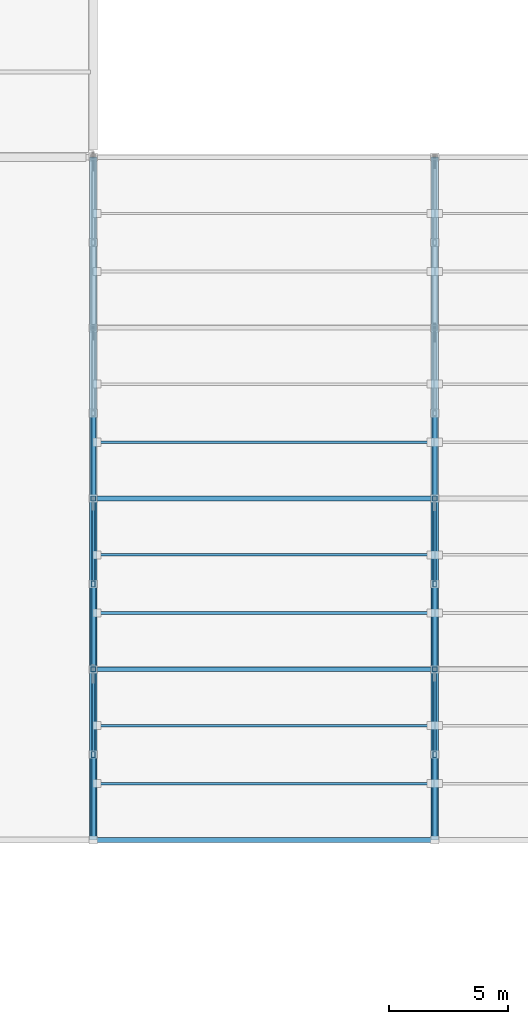
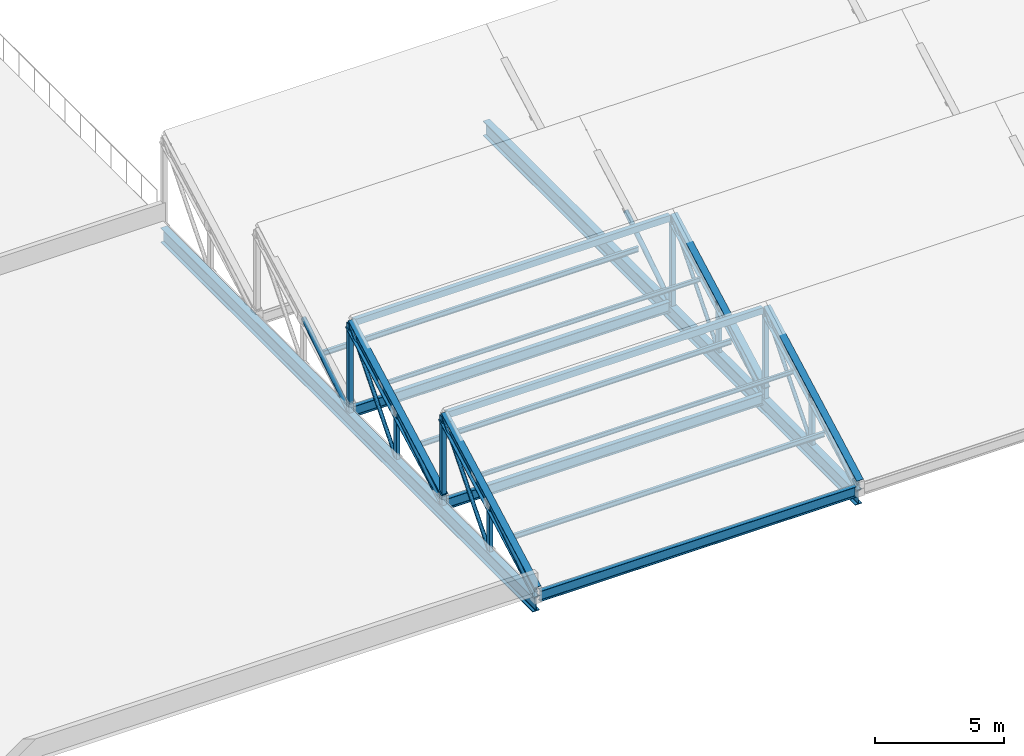
# One storey, part 6 of 51: 29 members, 5 beams.
"""IFC4 building model written with IfcOpenShell, lengths in metres."""

from ifc_helpers import new_model, si_unit, direction, frame, origin, origin_2d, place, context, subcontext, project, spatial, hollow_rectangle, hollow_circle, i_section, extrude, material, material_profile, profile_set, type_object, element, save


model = new_model("IFC4")

# Units and contexts
model_context = context("Model", 3, precision=1e-05, world=origin(), true_north=direction((0.0, 1.0)))
body_context = subcontext(model_context, "Body", "Model", "MODEL_VIEW")
ifc_project = project(units=[si_unit("LENGTHUNIT", "METRE"), si_unit("AREAUNIT", "SQUARE_METRE"), si_unit("VOLUMEUNIT", "CUBIC_METRE"), si_unit("PLANEANGLEUNIT", "RADIAN"), si_unit("MASSUNIT", "GRAM", prefix="KILO")], contexts=[model_context])

# Site, building, storey
site_placement = place(None, origin())
site = spatial("IfcSite", under=ifc_project, at=site_placement, CompositionType="ELEMENT")
building_placement = place(site_placement, origin())
building = spatial("IfcBuilding", under=site, at=building_placement, Name="Valkovuoma Quantum and Materials Research Institute", CompositionType="ELEMENT")
storey_placement = place(building_placement, frame((0.0, 0.0, 17.280029296875)))
storey = spatial("IfcBuildingStorey", under=building, at=storey_placement, Name="L04", CompositionType="ELEMENT", Elevation=17.280029296875)

# Beams
ifc_material_1 = material(Name="Steel S355J2", Category="steel")
ifc_material_profile_1 = material_profile(ifc_material_1, i_section(OverallWidth=0.300048828125, OverallDepth=0.699951171875, WebThickness=0.01708984375, FlangeThickness=0.031982421875, FilletRadius=0.027099609375, at=origin_2d()), Name="Steel S355J2")
ifc_profile_set_1 = profile_set([ifc_material_profile_1], Name="Steel S355J2")
beam_type_1 = type_object("IfcBeamType", Name="Beam-B-HEB700", PredefinedType="BEAM", material=ifc_profile_set_1)
for number, where, z_axis, x_axis, name in (
    (1, (43.199951171875, 36.0, -0.650146484375), (0.0, 1.0, 0.0), (-1.0, 0.0, 0.0), "L04 VOL2 sawtooth tie girder 1"),
    (2, (57.60009765625, 36.0, -0.650146484375), (0.0, 1.0, 0.0), (-1.0, 0.0, 0.0), "L04 VOL2 sawtooth tie girder 2"),
):
    element("IfcBeam", number, at=place(storey_placement, frame(where, z_axis=z_axis, x_axis=x_axis)), inside=storey, type_object=beam_type_1, Name=name, PredefinedType="BEAM", context=body_context, shape_type="SweptSolid", body=[
        extrude(i_section(OverallWidth=0.300048828125, OverallDepth=0.699951171875, WebThickness=0.01708984375, FlangeThickness=0.031982421875, FilletRadius=0.027099609375, at=origin_2d()), origin(), (0.0, 0.0, 1.0), 28.800048828125),
    ])
ifc_material_2 = material(Name="Steel S355J2", Category="steel")
ifc_material_profile_2 = material_profile(ifc_material_2, i_section(OverallWidth=0.199951171875, OverallDepth=0.5, WebThickness=0.01025390625, FlangeThickness=0.01611328125, FilletRadius=0.02099609375, at=origin_2d()), Name="Steel S355J2")
ifc_profile_set_2 = profile_set([ifc_material_profile_2], Name="Steel S355J2")
beam_type_2 = type_object("IfcBeamType", Name="Beam-B-IPE500", PredefinedType="BEAM", material=ifc_profile_set_2)
for number, where, z_axis, x_axis, name in (
    (3, (43.35009765625, 36.0, -0.300048828125), (1.0, 0.0, 0.0), (0.0, 1.0, 0.0), "L04 VOL2 valley beam 1.1"),
    (4, (43.35009765625, 43.199951171875, -0.300048828125), (1.0, 0.0, 0.0), (0.0, 1.0, 0.0), "L04 VOL2 valley beam 2.1"),
    (5, (43.35009765625, 50.39990234375, -0.300048828125), (1.0, 0.0, 0.0), (0.0, 1.0, 0.0), "L04 VOL2 valley beam 3.1"),
):
    element("IfcBeam", number, at=place(storey_placement, frame(where, z_axis=z_axis, x_axis=x_axis)), inside=storey, type_object=beam_type_2, Name=name, PredefinedType="BEAM", context=body_context, shape_type="SweptSolid", body=[
        extrude(i_section(OverallWidth=0.199951171875, OverallDepth=0.5, WebThickness=0.01025390625, FlangeThickness=0.01611328125, FilletRadius=0.02099609375, at=origin_2d()), origin(), (0.0, 0.0, 1.0), 14.099853515625),
    ])

# Members
ifc_material_3 = material(Name="Steel S355J2H", Category="steel")
ifc_material_profile_3 = material_profile(ifc_material_3, hollow_circle(Radius=0.084228515625, WallThickness=0.008056640625, at=origin_2d()), Name="Steel S355J2H")
ifc_profile_set_3 = profile_set([ifc_material_profile_3], Name="Steel S355J2H")
member_type_1 = type_object("IfcMemberType", Name="Mem-M-BRC168", PredefinedType="BRACE", material=ifc_profile_set_3)
for number, where, z_axis, x_axis, name in (
    (6, (43.199951171875, 39.60009765625, -0.35009765625), (0.0, 0.647216384213, 0.762306337378), (-1.0, 0.0, 0.0), "L04 VOL2 sawtooth web brace 1.1B"),
    (7, (43.199951171875, 46.800048828125, -0.35009765625), (0.0, 0.647216384213, 0.762306337378), (-1.0, 0.0, 0.0), "L04 VOL2 sawtooth web brace 1.2B"),
    (8, (57.60009765625, 39.60009765625, -0.35009765625), (0.0, 0.647216384213, 0.762306337378), (-1.0, 0.0, 0.0), "L04 VOL2 sawtooth web brace 2.1B"),
    (9, (57.60009765625, 46.800048828125, -0.35009765625), (0.0, 0.647216384213, 0.762306337378), (-1.0, 0.0, 0.0), "L04 VOL2 sawtooth web brace 2.2B"),
):
    element("IfcMember", number, at=place(storey_placement, frame(where, z_axis=z_axis, x_axis=x_axis)), inside=storey, type_object=member_type_1, Name=name, PredefinedType="BRACE", context=body_context, shape_type="SweptSolid", body=[
        extrude(hollow_circle(Radius=0.084228515625, WallThickness=0.008056640625, at=origin_2d()), origin(), (0.0, 0.0, 1.0), 5.56201171875),
    ])
ifc_material_4 = material(Name="Steel S355J2H", Category="steel")
ifc_material_profile_4 = material_profile(ifc_material_4, hollow_circle(Radius=0.109619140625, WallThickness=0.010009765625, at=origin_2d()), Name="Steel S355J2H")
ifc_profile_set_4 = profile_set([ifc_material_profile_4], Name="Steel S355J2H")
member_type_2 = type_object("IfcMemberType", Name="Mem-M-BRC219", PredefinedType="BRACE", material=ifc_profile_set_4)
for number, where, z_axis, x_axis, name in (
    (10, (43.199951171875, 36.0, -0.35009765625), (0.0, 0.843216181903, 0.537574618613), (-1.0, 0.0, 0.0), "L04 VOL2 sawtooth web brace 1.1A"),
    (11, (43.199951171875, 43.199951171875, -0.35009765625), (0.0, 0.843216181903, 0.537574618613), (-1.0, 0.0, 0.0), "L04 VOL2 sawtooth web brace 1.2A"),
    (12, (43.199951171875, 50.39990234375, -0.35009765625), (0.0, 0.843216181903, 0.537574618613), (-1.0, 0.0, 0.0), "L04 VOL2 sawtooth web brace 1.3A"),
    (13, (57.60009765625, 36.0, -0.35009765625), (0.0, 0.843216181903, 0.537574618613), (-1.0, 0.0, 0.0), "L04 VOL2 sawtooth web brace 2.1A"),
    (14, (57.60009765625, 43.199951171875, -0.35009765625), (0.0, 0.843216181903, 0.537574618613), (-1.0, 0.0, 0.0), "L04 VOL2 sawtooth web brace 2.2A"),
    (15, (57.60009765625, 50.39990234375, -0.35009765625), (0.0, 0.843216181903, 0.537574618613), (-1.0, 0.0, 0.0), "L04 VOL2 sawtooth web brace 2.3A"),
):
    element("IfcMember", number, at=place(storey_placement, frame(where, z_axis=z_axis, x_axis=x_axis)), inside=storey, type_object=member_type_2, Name=name, PredefinedType="BRACE", context=body_context, shape_type="SweptSolid", body=[
        extrude(hollow_circle(Radius=0.109619140625, WallThickness=0.010009765625, at=origin_2d()), origin(), (0.0, 0.0, 1.0), 4.26953125),
    ])
ifc_material_5 = material(Name="Steel S355J2H", Category="steel")
ifc_material_profile_5 = material_profile(ifc_material_5, hollow_rectangle(XDim=0.199951171875, YDim=0.300048828125, WallThickness=0.012451171875, at=origin_2d()), Name="Steel S355J2H")
ifc_profile_set_5 = profile_set([ifc_material_profile_5], Name="Steel S355J2H")
member_type_3 = type_object("IfcMemberType", Name="Mem-M-CHD300", PredefinedType="CHORD", material=ifc_profile_set_5)
for number, where, z_axis, x_axis, name in (
    (16, (43.35009765625, 43.199951171875, 3.889892578125), (1.0, 0.0, 0.0), (0.0, 1.0, 0.0), "L04 VOL2 ridge chord 1.1"),
    (17, (43.35009765625, 50.39990234375, 3.889892578125), (1.0, 0.0, 0.0), (0.0, 1.0, 0.0), "L04 VOL2 ridge chord 2.1"),
):
    element("IfcMember", number, at=place(storey_placement, frame(where, z_axis=z_axis, x_axis=x_axis)), inside=storey, type_object=member_type_3, Name=name, PredefinedType="CHORD", context=body_context, shape_type="SweptSolid", body=[
        extrude(hollow_rectangle(XDim=0.199951171875, YDim=0.300048828125, WallThickness=0.012451171875, at=origin_2d()), origin(), (0.0, 0.0, 1.0), 14.099853515625),
    ])
ifc_material_6 = material(Name="Steel S355J2", Category="steel")
ifc_material_profile_6 = material_profile(ifc_material_6, i_section(OverallWidth=0.300048828125, OverallDepth=0.5, WebThickness=0.014404296875, FlangeThickness=0.028076171875, FilletRadius=0.027099609375, at=origin_2d()), Name="Steel S355J2")
ifc_profile_set_6 = profile_set([ifc_material_profile_6], Name="Steel S355J2")
member_type_4 = type_object("IfcMemberType", Name="Mem-M-CHD500", PredefinedType="CHORD", material=ifc_profile_set_6)
for number, where, z_axis, x_axis, name in (
    (18, (43.199951171875, 36.0, 0.0), (0.0, 0.879807342754, 0.475330453091), (-1.0, 0.0, 0.0), "L04 VOL2 sawtooth top chord 1.1"),
    (19, (43.199951171875, 43.199951171875, 0.0), (0.0, 0.879807342754, 0.475330453091), (-1.0, 0.0, 0.0), "L04 VOL2 sawtooth top chord 1.2"),
    (20, (57.60009765625, 36.0, 0.0), (0.0, 0.879807342754, 0.475330453091), (-1.0, 0.0, 0.0), "L04 VOL2 sawtooth top chord 2.1"),
    (21, (57.60009765625, 43.199951171875, 0.0), (0.0, 0.879807342754, 0.475330453091), (-1.0, 0.0, 0.0), "L04 VOL2 sawtooth top chord 2.2"),
):
    element("IfcMember", number, at=place(storey_placement, frame(where, z_axis=z_axis, x_axis=x_axis)), inside=storey, type_object=member_type_4, Name=name, PredefinedType="CHORD", context=body_context, shape_type="SweptSolid", body=[
        extrude(i_section(OverallWidth=0.300048828125, OverallDepth=0.5, WebThickness=0.014404296875, FlangeThickness=0.028076171875, FilletRadius=0.027099609375, at=origin_2d()), origin(), (0.0, 0.0, 1.0), 8.18359375),
    ])
ifc_material_7 = material(Name="Steel S355J2", Category="steel")
ifc_material_profile_7 = material_profile(ifc_material_7, i_section(OverallWidth=0.10009765625, OverallDepth=0.199951171875, WebThickness=0.005615234375, FlangeThickness=0.008544921875, FilletRadius=0.011962890625, at=origin_2d()), Name="Steel S355J2")
ifc_profile_set_7 = profile_set([ifc_material_profile_7], Name="Steel S355J2")
member_type_5 = type_object("IfcMemberType", Name="Mem-M-PRL200", PredefinedType="PURLIN", material=ifc_profile_set_7)
for number, where, z_axis, x_axis, name in (
    (22, (43.35009765625, 40.823974609375, 2.405517578125), (1.0, 0.0, 0.0), (0.0, 1.0, 0.0), "L04 VOL2 roof purlin 1.1.2"),
    (23, (43.35009765625, 48.02392578125, 2.405517578125), (1.0, 0.0, 0.0), (0.0, 1.0, 0.0), "L04 VOL2 roof purlin 2.1.2"),
):
    element("IfcMember", number, at=place(storey_placement, frame(where, z_axis=z_axis, x_axis=x_axis)), inside=storey, type_object=member_type_5, Name=name, PredefinedType="PURLIN", context=body_context, shape_type="SweptSolid", body=[
        extrude(i_section(OverallWidth=0.10009765625, OverallDepth=0.199951171875, WebThickness=0.005615234375, FlangeThickness=0.008544921875, FilletRadius=0.011962890625, at=origin_2d()), origin(), (0.0, 0.0, 1.0), 14.099853515625),
    ])
ifc_material_8 = material(Name="Steel S355J2", Category="steel")
ifc_material_profile_8 = material_profile(ifc_material_8, i_section(OverallWidth=0.1201171875, OverallDepth=0.239990234375, WebThickness=0.006103515625, FlangeThickness=0.009765625, FilletRadius=0.014892578125, at=origin_2d()), Name="Steel S355J2")
ifc_profile_set_8 = profile_set([ifc_material_profile_8], Name="Steel S355J2")
member_type_6 = type_object("IfcMemberType", Name="Mem-M-PRL240", PredefinedType="PURLIN", material=ifc_profile_set_8)
for number, where, z_axis, x_axis, name in (
    (24, (43.35009765625, 38.3759765625, 0.9638671875), (1.0, 0.0, 0.0), (0.0, 1.0, 0.0), "L04 VOL2 roof purlin 1.1.1"),
    (25, (43.35009765625, 45.575927734375, 0.9638671875), (1.0, 0.0, 0.0), (0.0, 1.0, 0.0), "L04 VOL2 roof purlin 2.1.1"),
    (26, (43.35009765625, 52.77587890625, 0.9638671875), (1.0, 0.0, 0.0), (0.0, 1.0, 0.0), "L04 VOL2 roof purlin 3.1.1"),
):
    element("IfcMember", number, at=place(storey_placement, frame(where, z_axis=z_axis, x_axis=x_axis)), inside=storey, type_object=member_type_6, Name=name, PredefinedType="PURLIN", context=body_context, shape_type="SweptSolid", body=[
        extrude(i_section(OverallWidth=0.1201171875, OverallDepth=0.239990234375, WebThickness=0.006103515625, FlangeThickness=0.009765625, FilletRadius=0.014892578125, at=origin_2d()), origin(), (0.0, 0.0, 1.0), 14.099853515625),
    ])
ifc_material_9 = material(Name="Steel S355J2H", Category="steel")
ifc_material_profile_9 = material_profile(ifc_material_9, hollow_rectangle(XDim=0.199951171875, YDim=0.199951171875, WallThickness=0.010009765625, at=origin_2d()), Name="Steel S355J2H")
ifc_profile_set_9 = profile_set([ifc_material_profile_9], Name="Steel S355J2H")
member_type_7 = type_object("IfcMemberType", Name="Mem-M-STR200", PredefinedType="STRUT", material=ifc_profile_set_9)
for number, where, z_axis, x_axis, name in (
    (27, (43.199951171875, 43.199951171875, -0.35009765625), (0.0, 0.0, 1.0), (1.0, 0.0, 0.0), "L04 VOL2 sawtooth north post 1.1"),
    (28, (43.199951171875, 50.39990234375, -0.35009765625), (0.0, 0.0, 1.0), (1.0, 0.0, 0.0), "L04 VOL2 sawtooth north post 1.2"),
    (29, (57.60009765625, 43.199951171875, -0.35009765625), (0.0, 0.0, 1.0), (1.0, 0.0, 0.0), "L04 VOL2 sawtooth north post 2.1"),
    (30, (57.60009765625, 50.39990234375, -0.35009765625), (0.0, 0.0, 1.0), (1.0, 0.0, 0.0), "L04 VOL2 sawtooth north post 2.2"),
):
    element("IfcMember", number, at=place(storey_placement, frame(where, z_axis=z_axis, x_axis=x_axis)), inside=storey, type_object=member_type_7, Name=name, PredefinedType="STRUT", context=body_context, shape_type="SweptSolid", body=[
        extrude(hollow_rectangle(XDim=0.199951171875, YDim=0.199951171875, WallThickness=0.010009765625, at=origin_2d()), origin(), (0.0, 0.0, 1.0), 4.239990234375),
    ])
ifc_material_10 = material(Name="Steel S355J2H", Category="steel")
ifc_material_profile_10 = material_profile(ifc_material_10, hollow_rectangle(XDim=0.14990234375, YDim=0.25, WallThickness=0.010009765625, at=origin_2d()), Name="Steel S355J2H")
ifc_profile_set_10 = profile_set([ifc_material_profile_10], Name="Steel S355J2H")
member_type_8 = type_object("IfcMemberType", Name="Mem-M-STR250R", PredefinedType="STRUT", material=ifc_profile_set_10)
for number, where, z_axis, x_axis, name in (
    (31, (43.199951171875, 39.60009765625, -0.35009765625), (0.0, 0.0, 1.0), (1.0, 0.0, 0.0), "L04 VOL2 sawtooth mid strut 1.1"),
    (32, (43.199951171875, 46.800048828125, -0.35009765625), (0.0, 0.0, 1.0), (1.0, 0.0, 0.0), "L04 VOL2 sawtooth mid strut 1.2"),
    (33, (57.60009765625, 39.60009765625, -0.35009765625), (0.0, 0.0, 1.0), (1.0, 0.0, 0.0), "L04 VOL2 sawtooth mid strut 2.1"),
    (34, (57.60009765625, 46.800048828125, -0.35009765625), (0.0, 0.0, 1.0), (1.0, 0.0, 0.0), "L04 VOL2 sawtooth mid strut 2.2"),
):
    element("IfcMember", number, at=place(storey_placement, frame(where, z_axis=z_axis, x_axis=x_axis)), inside=storey, type_object=member_type_8, Name=name, PredefinedType="STRUT", context=body_context, shape_type="SweptSolid", body=[
        extrude(hollow_rectangle(XDim=0.14990234375, YDim=0.25, WallThickness=0.010009765625, at=origin_2d()), origin(), (0.0, 0.0, 1.0), 2.295166015625),
    ])

save(model, "model.ifc")
